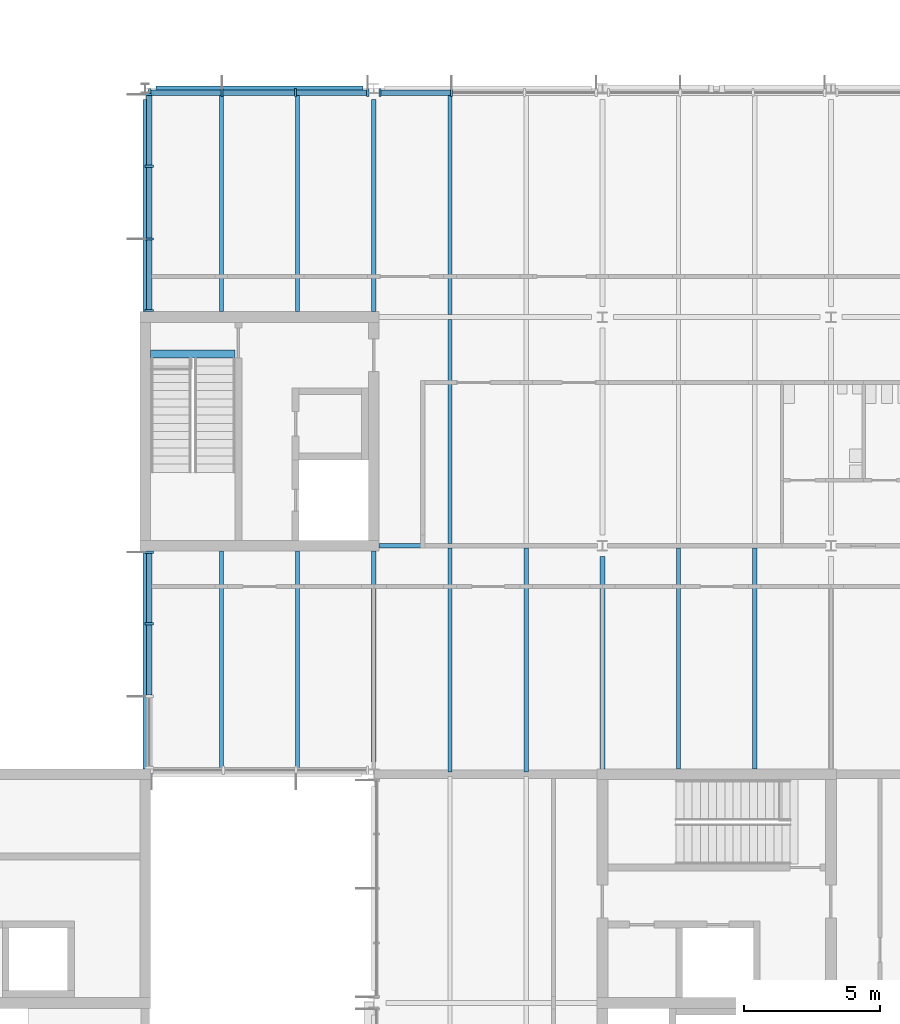
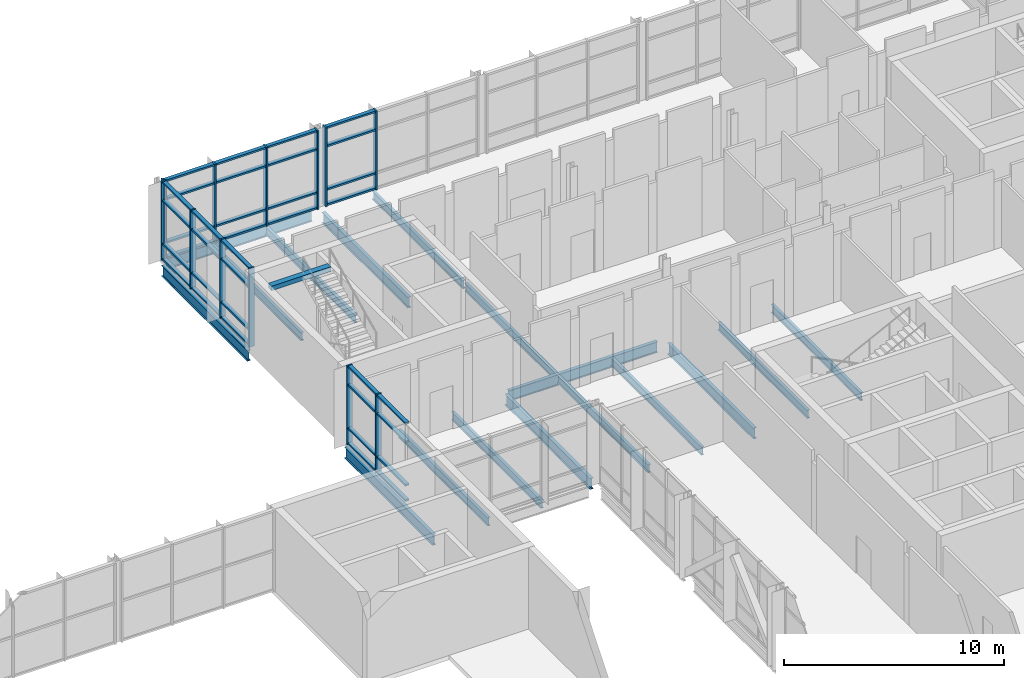
# One storey, part 33 of 89: 48 members, 18 beams, 4 elements without a shape of their own.
"""IFC4 building model written with IfcOpenShell, lengths in metres."""

from ifc_helpers import new_model, si_unit, direction, frame, origin, origin_2d, place, context, subcontext, project, spatial, rectangle, i_section, extrude, material, material_profile, profile_set, type_object, element, aggregate, save


model = new_model("IFC4")

# Units and contexts
model_context = context("Model", 3, precision=1e-05, world=origin(), true_north=direction((0.0, 1.0)))
body_context = subcontext(model_context, "Body", "Model", "MODEL_VIEW")
ifc_project = project(units=[si_unit("LENGTHUNIT", "METRE"), si_unit("AREAUNIT", "SQUARE_METRE"), si_unit("VOLUMEUNIT", "CUBIC_METRE"), si_unit("PLANEANGLEUNIT", "RADIAN"), si_unit("MASSUNIT", "GRAM", prefix="KILO")], contexts=[model_context])

# Site, building, storey
site_placement = place(None, origin())
site = spatial("IfcSite", under=ifc_project, at=site_placement, CompositionType="ELEMENT")
building_placement = place(site_placement, origin())
building = spatial("IfcBuilding", under=site, at=building_placement, Name="Hlaing Beacon Police Headquarters", CompositionType="ELEMENT")
storey_placement = place(building_placement, frame((0.0, 0.0, 9.89990234375)))
storey = spatial("IfcBuildingStorey", under=building, at=storey_placement, Name="L02", CompositionType="ELEMENT", Elevation=9.89990234375)

# Beams
ifc_material_1 = material(Name="Steel ASTM A992 Grade 50", Category="steel")
ifc_material_profile_1 = material_profile(ifc_material_1, i_section(OverallWidth=0.177978515625, OverallDepth=0.599365234375, WebThickness=0.010009765625, FlangeThickness=0.012939453125, FilletRadius=0.012939453125, at=origin_2d()), Name="W24x55")
ifc_profile_set_1 = profile_set([ifc_material_profile_1], Name="Steel ASTM A992 Grade 50")
beam_type_1 = type_object("IfcBeamType", Name="Girder W24x55", PredefinedType="BEAM", material=ifc_profile_set_1)
beam_1_placement = place(storey_placement, frame((101.0, 75.60009765625, -0.4296875), z_axis=(1.0, 0.0, 0.0), x_axis=(0.0, 1.0, 0.0)))
element("IfcBeam", 1, at=beam_1_placement, inside=storey, type_object=beam_type_1, Name="STR-BM-L02-GX-N10-P10", PredefinedType="BEAM", context=body_context, shape_type="SweptSolid", body=[
    extrude(i_section(OverallWidth=0.177978515625, OverallDepth=0.599365234375, WebThickness=0.010009765625, FlangeThickness=0.012939453125, FilletRadius=0.012939453125, at=origin_2d()), origin(), (0.0, 0.0, 1.0), 7.800048828125),
])
beam_2_placement = place(storey_placement, frame((92.800048828125, 92.39990234375, -0.4296875), z_axis=(1.0, 0.0, 0.0), x_axis=(0.0, 1.0, 0.0)))
element("IfcBeam", 2, at=beam_2_placement, inside=storey, type_object=beam_type_1, Name="STR-BM-L02-GX-M12-N12", PredefinedType="BEAM", context=body_context, shape_type="SweptSolid", body=[
    extrude(i_section(OverallWidth=0.177978515625, OverallDepth=0.599365234375, WebThickness=0.010009765625, FlangeThickness=0.012939453125, FilletRadius=0.012939453125, at=origin_2d()), origin(), (0.0, 0.0, 1.0), 7.599853515625),
])
beam_3_placement = place(storey_placement, frame((92.39990234375, 67.39990234375, -0.4296875), z_axis=(0.0, 1.0, 0.0), x_axis=(-1.0, 0.0, 0.0)))
element("IfcBeam", 3, at=beam_3_placement, inside=storey, type_object=beam_type_1, Name="STR-BM-L02-GY-M9-M10", PredefinedType="BEAM", context=body_context, shape_type="SweptSolid", body=[
    extrude(i_section(OverallWidth=0.177978515625, OverallDepth=0.599365234375, WebThickness=0.010009765625, FlangeThickness=0.012939453125, FilletRadius=0.012939453125, at=origin_2d()), origin(), (0.0, 0.0, 1.0), 8.0),
])
beam_4_placement = place(storey_placement, frame((92.39990234375, 84.199951171875, -0.4296875), z_axis=(0.0, 1.0, 0.0), x_axis=(-1.0, 0.0, 0.0)))
element("IfcBeam", 4, at=beam_4_placement, inside=storey, type_object=beam_type_1, Name="STR-BM-L02-GY-M11-M12", PredefinedType="BEAM", context=body_context, shape_type="SweptSolid", body=[
    extrude(i_section(OverallWidth=0.177978515625, OverallDepth=0.599365234375, WebThickness=0.010009765625, FlangeThickness=0.012939453125, FilletRadius=0.012939453125, at=origin_2d()), origin(), (0.0, 0.0, 1.0), 7.800048828125),
])
beam_5_placement = place(storey_placement, frame((100.800048828125, 67.64990234375, -0.4296875), z_axis=(0.0, 1.0, 0.0), x_axis=(-1.0, 0.0, 0.0)))
element("IfcBeam", 5, at=beam_5_placement, inside=storey, type_object=beam_type_1, Name="STR-BM-L02-GY-N9-N10", PredefinedType="BEAM", context=body_context, shape_type="SweptSolid", body=[
    extrude(i_section(OverallWidth=0.177978515625, OverallDepth=0.599365234375, WebThickness=0.010009765625, FlangeThickness=0.012939453125, FilletRadius=0.012939453125, at=origin_2d()), origin(), (0.0, 0.0, 1.0), 7.75),
])
for number, where, z_axis, x_axis, name in (
    (6, (100.800048828125, 84.199951171875, -0.4296875), (0.0, 1.0, 0.0), (-1.0, 0.0, 0.0), "STR-BM-L02-GY-N11-N12"),
    (7, (109.199951171875, 67.39990234375, -0.4296875), (0.0, 1.0, 0.0), (-1.0, 0.0, 0.0), "STR-BM-L02-GY-P9-P10"),
):
    element("IfcBeam", number, at=place(storey_placement, frame(where, z_axis=z_axis, x_axis=x_axis)), inside=storey, type_object=beam_type_1, Name=name, PredefinedType="BEAM", context=body_context, shape_type="SweptSolid", body=[
        extrude(i_section(OverallWidth=0.177978515625, OverallDepth=0.599365234375, WebThickness=0.010009765625, FlangeThickness=0.012939453125, FilletRadius=0.012939453125, at=origin_2d()), origin(), (0.0, 0.0, 1.0), 7.800048828125),
    ])

# Curtain wall, members
ifc_material_2 = material(Name="Aluminium frame with solar control glazing", Category="aluminium")
curtain_wall_type_1 = type_object("IfcCurtainWallType", Name="Structural glazed gable wall 8.03 x 4.37", PredefinedType="NOTDEFINED", material=ifc_material_2)
curtain_wall_1_placement = place(storey_placement, origin())
curtain_wall_1 = element("IfcCurtainWall", 8, at=curtain_wall_1_placement, inside=storey, type_object=curtain_wall_type_1, Name="ENV-CW-L02-N025", PredefinedType="NOTDEFINED")
ifc_material_3 = material(Name="Aluminium", Category="aluminium")
ifc_material_profile_2 = material_profile(ifc_material_3, rectangle(XDim=0.300048828125, YDim=0.080078125, at=origin_2d()), Name="Mullion 80x300")
ifc_profile_set_2 = profile_set([ifc_material_profile_2], Name="Aluminium")
member_type_1 = type_object("IfcMemberType", Name="Mullion 80x300", PredefinedType="MULLION", material=ifc_profile_set_2)
member_1_placement = place(storey_placement, frame((103.660888671875, 92.25, 0.0), z_axis=(0.0, 0.0, 1.0), x_axis=(0.0, -1.0, 0.0)))
member_1 = element("IfcMember", 9, at=member_1_placement, type_object=member_type_1, Name="CW-L02-N025 mullion 3", PredefinedType="MULLION", context=body_context, shape_type="SweptSolid", body=[
    extrude(rectangle(XDim=0.300048828125, YDim=0.080078125, at=origin_2d()), origin(), (0.0, 0.0, 1.0), 4.3701171875),
])
member_2_placement = place(storey_placement, frame((101.024169921875, 92.25, 0.0), z_axis=(0.0, 0.0, 1.0), x_axis=(0.0, -1.0, 0.0)))
member_2 = element("IfcMember", 10, at=member_2_placement, type_object=member_type_1, Name="CW-L02-N025 mullion 4", PredefinedType="MULLION", context=body_context, shape_type="SweptSolid", body=[
    extrude(rectangle(XDim=0.300048828125, YDim=0.080078125, at=origin_2d()), origin(), (0.0, 0.0, 1.0), 4.3701171875),
])

ifc_material_4 = material(Name="Aluminium frame with solar control glazing", Category="aluminium")
curtain_wall_type_2 = type_object("IfcCurtainWallType", Name="Structural glazed gable wall 8.09 x 4.37", PredefinedType="NOTDEFINED", material=ifc_material_4)
curtain_wall_2_placement = place(storey_placement, origin())
curtain_wall_2 = element("IfcCurtainWall", 11, at=curtain_wall_2_placement, inside=storey, type_object=curtain_wall_type_2, Name="ENV-CW-L02-N026", PredefinedType="NOTDEFINED")
member_3_placement = place(storey_placement, frame((100.57568359375, 92.25, 0.0), z_axis=(0.0, 0.0, 1.0), x_axis=(0.0, -1.0, 0.0)))
member_3 = element("IfcMember", 12, at=member_3_placement, type_object=member_type_1, Name="CW-L02-N026 mullion 1", PredefinedType="MULLION", context=body_context, shape_type="SweptSolid", body=[
    extrude(rectangle(XDim=0.300048828125, YDim=0.080078125, at=origin_2d()), origin(), (0.0, 0.0, 1.0), 4.3701171875),
])
member_4_placement = place(storey_placement, frame((97.91943359375, 92.25, 0.0), z_axis=(0.0, 0.0, 1.0), x_axis=(0.0, -1.0, 0.0)))
member_4 = element("IfcMember", 13, at=member_4_placement, type_object=member_type_1, Name="CW-L02-N026 mullion 2", PredefinedType="MULLION", context=body_context, shape_type="SweptSolid", body=[
    extrude(rectangle(XDim=0.300048828125, YDim=0.080078125, at=origin_2d()), origin(), (0.0, 0.0, 1.0), 4.3701171875),
])
member_5_placement = place(storey_placement, frame((95.223388671875, 92.25, 0.0), z_axis=(0.0, 0.0, 1.0), x_axis=(0.0, -1.0, 0.0)))
member_5 = element("IfcMember", 14, at=member_5_placement, type_object=member_type_1, Name="CW-L02-N026 mullion 3", PredefinedType="MULLION", context=body_context, shape_type="SweptSolid", body=[
    extrude(rectangle(XDim=0.300048828125, YDim=0.080078125, at=origin_2d()), origin(), (0.0, 0.0, 1.0), 4.3701171875),
])
member_6_placement = place(storey_placement, frame((92.56689453125, 92.25, 0.0), z_axis=(0.0, 0.0, 1.0), x_axis=(0.0, -1.0, 0.0)))
member_6 = element("IfcMember", 15, at=member_6_placement, type_object=member_type_1, Name="CW-L02-N026 mullion 4", PredefinedType="MULLION", context=body_context, shape_type="SweptSolid", body=[
    extrude(rectangle(XDim=0.300048828125, YDim=0.080078125, at=origin_2d()), origin(), (0.0, 0.0, 1.0), 4.3701171875),
])

ifc_material_5 = material(Name="Aluminium frame with solar control glazing", Category="aluminium")
curtain_wall_type_3 = type_object("IfcCurtainWallType", Name="Structural glazed gable wall 8.02 x 4.37", PredefinedType="NOTDEFINED", material=ifc_material_5)
curtain_wall_3_placement = place(storey_placement, origin())
curtain_wall_3 = element("IfcCurtainWall", 16, at=curtain_wall_3_placement, inside=storey, type_object=curtain_wall_type_3, Name="ENV-CW-L02-W027", PredefinedType="NOTDEFINED")
member_7_placement = place(storey_placement, frame((92.550048828125, 92.18212890625, 0.0), z_axis=(0.0, 0.0, 1.0), x_axis=(1.0, 0.0, 0.0)))
member_7 = element("IfcMember", 17, at=member_7_placement, type_object=member_type_1, Name="CW-L02-W027 mullion 1", PredefinedType="MULLION", context=body_context, shape_type="SweptSolid", body=[
    extrude(rectangle(XDim=0.300048828125, YDim=0.080078125, at=origin_2d()), origin(), (0.0, 0.0, 1.0), 4.3701171875),
])
member_8_placement = place(storey_placement, frame((92.550048828125, 89.548095703125, 0.0), z_axis=(0.0, 0.0, 1.0), x_axis=(1.0, 0.0, 0.0)))
member_8 = element("IfcMember", 18, at=member_8_placement, type_object=member_type_1, Name="CW-L02-W027 mullion 2", PredefinedType="MULLION", context=body_context, shape_type="SweptSolid", body=[
    extrude(rectangle(XDim=0.300048828125, YDim=0.080078125, at=origin_2d()), origin(), (0.0, 0.0, 1.0), 4.3701171875),
])
member_9_placement = place(storey_placement, frame((92.550048828125, 86.8740234375, 0.0), z_axis=(0.0, 0.0, 1.0), x_axis=(1.0, 0.0, 0.0)))
member_9 = element("IfcMember", 19, at=member_9_placement, type_object=member_type_1, Name="CW-L02-W027 mullion 3", PredefinedType="MULLION", context=body_context, shape_type="SweptSolid", body=[
    extrude(rectangle(XDim=0.300048828125, YDim=0.080078125, at=origin_2d()), origin(), (0.0, 0.0, 1.0), 4.3701171875),
])
member_10_placement = place(storey_placement, frame((92.550048828125, 84.239990234375, 0.0), z_axis=(0.0, 0.0, 1.0), x_axis=(1.0, 0.0, 0.0)))
member_10 = element("IfcMember", 20, at=member_10_placement, type_object=member_type_1, Name="CW-L02-W027 mullion 4", PredefinedType="MULLION", context=body_context, shape_type="SweptSolid", body=[
    extrude(rectangle(XDim=0.300048828125, YDim=0.080078125, at=origin_2d()), origin(), (0.0, 0.0, 1.0), 4.3701171875),
])

ifc_material_6 = material(Name="Aluminium frame with solar control glazing", Category="aluminium")
curtain_wall_type_4 = type_object("IfcCurtainWallType", Name="Structural glazed gable wall 8.00 x 4.37", PredefinedType="NOTDEFINED", material=ifc_material_6)
curtain_wall_4_placement = place(storey_placement, origin())
curtain_wall_4 = element("IfcCurtainWall", 21, at=curtain_wall_4_placement, inside=storey, type_object=curtain_wall_type_4, Name="ENV-CW-L02-W028", PredefinedType="NOTDEFINED")
member_11_placement = place(storey_placement, frame((92.550048828125, 75.360107421875, 0.0), z_axis=(0.0, 0.0, 1.0), x_axis=(1.0, 0.0, 0.0)))
member_11 = element("IfcMember", 22, at=member_11_placement, type_object=member_type_1, Name="CW-L02-W028 mullion 1", PredefinedType="MULLION", context=body_context, shape_type="SweptSolid", body=[
    extrude(rectangle(XDim=0.300048828125, YDim=0.080078125, at=origin_2d()), origin(), (0.0, 0.0, 1.0), 4.3701171875),
])
member_12_placement = place(storey_placement, frame((92.550048828125, 72.7333984375, 0.0), z_axis=(0.0, 0.0, 1.0), x_axis=(1.0, 0.0, 0.0)))
member_12 = element("IfcMember", 23, at=member_12_placement, type_object=member_type_1, Name="CW-L02-W028 mullion 2", PredefinedType="MULLION", context=body_context, shape_type="SweptSolid", body=[
    extrude(rectangle(XDim=0.300048828125, YDim=0.080078125, at=origin_2d()), origin(), (0.0, 0.0, 1.0), 4.3701171875),
])

# Beams
ifc_material_7 = material(Name="Steel ASTM A992 Grade 50", Category="steel")
ifc_material_profile_3 = material_profile(ifc_material_7, i_section(OverallWidth=0.15234375, OverallDepth=0.449462890625, WebThickness=0.007568359375, FlangeThickness=0.0107421875, FilletRadius=0.01025390625, at=origin_2d()), Name="W18x35")
ifc_profile_set_3 = profile_set([ifc_material_profile_3], Name="Steel ASTM A992 Grade 50")
beam_type_2 = type_object("IfcBeamType", Name="Secondary beam W18x35", PredefinedType="BEAM", material=ifc_profile_set_3)
for number, where, z_axis, x_axis, name in (
    (24, (95.199951171875, 67.2890625, -0.354736328125), (0.0, 1.0, 0.0), (-1.0, 0.0, 0.0), "STR-BM-L02-SB-M9-y1"),
    (25, (98.0, 67.2890625, -0.354736328125), (0.0, 1.0, 0.0), (-1.0, 0.0, 0.0), "STR-BM-L02-SB-M9-y2"),
):
    element("IfcBeam", number, at=place(storey_placement, frame(where, z_axis=z_axis, x_axis=x_axis)), inside=storey, type_object=beam_type_2, Name=name, PredefinedType="BEAM", context=body_context, shape_type="SweptSolid", body=[
        extrude(i_section(OverallWidth=0.15234375, OverallDepth=0.449462890625, WebThickness=0.007568359375, FlangeThickness=0.0107421875, FilletRadius=0.01025390625, at=origin_2d()), origin(), (0.0, 0.0, 1.0), 8.11083984375),
    ])
for number, where, z_axis, x_axis, name in (
    (26, (95.199951171875, 84.199951171875, -0.354736328125), (0.0, 1.0, 0.0), (-1.0, 0.0, 0.0), "STR-BM-L02-SB-M11-y1"),
    (27, (98.0, 84.199951171875, -0.354736328125), (0.0, 1.0, 0.0), (-1.0, 0.0, 0.0), "STR-BM-L02-SB-M11-y2"),
):
    element("IfcBeam", number, at=place(storey_placement, frame(where, z_axis=z_axis, x_axis=x_axis)), inside=storey, type_object=beam_type_2, Name=name, PredefinedType="BEAM", context=body_context, shape_type="SweptSolid", body=[
        extrude(i_section(OverallWidth=0.15234375, OverallDepth=0.449462890625, WebThickness=0.007568359375, FlangeThickness=0.0107421875, FilletRadius=0.01025390625, at=origin_2d()), origin(), (0.0, 0.0, 1.0), 8.111083984375),
    ])
for number, where, z_axis, x_axis, name in (
    (28, (103.60009765625, 67.2890625, -0.354736328125), (0.0, 1.0, 0.0), (-1.0, 0.0, 0.0), "STR-BM-L02-SB-N9-y1"),
    (29, (106.39990234375, 67.2890625, -0.354736328125), (0.0, 1.0, 0.0), (-1.0, 0.0, 0.0), "STR-BM-L02-SB-N9-y2"),
    (30, (103.60009765625, 75.68896484375, -0.354736328125), (0.0, 1.0, 0.0), (-1.0, 0.0, 0.0), "STR-BM-L02-SB-N10-y1"),
    (31, (103.60009765625, 84.089111328125, -0.354736328125), (0.0, 1.0, 0.0), (-1.0, 0.0, 0.0), "STR-BM-L02-SB-N11-y1"),
):
    element("IfcBeam", number, at=place(storey_placement, frame(where, z_axis=z_axis, x_axis=x_axis)), inside=storey, type_object=beam_type_2, Name=name, PredefinedType="BEAM", context=body_context, shape_type="SweptSolid", body=[
        extrude(i_section(OverallWidth=0.15234375, OverallDepth=0.449462890625, WebThickness=0.007568359375, FlangeThickness=0.0107421875, FilletRadius=0.01025390625, at=origin_2d()), origin(), (0.0, 0.0, 1.0), 8.221923828125),
    ])
for number, where, z_axis, x_axis, name in (
    (32, (112.0, 67.39990234375, -0.354736328125), (0.0, 1.0, 0.0), (-1.0, 0.0, 0.0), "STR-BM-L02-SB-P9-y1"),
    (33, (114.800048828125, 67.39990234375, -0.354736328125), (0.0, 1.0, 0.0), (-1.0, 0.0, 0.0), "STR-BM-L02-SB-P9-y2"),
):
    element("IfcBeam", number, at=place(storey_placement, frame(where, z_axis=z_axis, x_axis=x_axis)), inside=storey, type_object=beam_type_2, Name=name, PredefinedType="BEAM", context=body_context, shape_type="SweptSolid", body=[
        extrude(i_section(OverallWidth=0.15234375, OverallDepth=0.449462890625, WebThickness=0.007568359375, FlangeThickness=0.0107421875, FilletRadius=0.01025390625, at=origin_2d()), origin(), (0.0, 0.0, 1.0), 8.111083984375),
    ])
ifc_material_8 = material(Name="Concrete C40/50", Category="concrete")
ifc_material_profile_4 = material_profile(ifc_material_8, rectangle(XDim=0.300048828125, YDim=0.25, at=origin_2d()), Name="Stair arrival beam 300x250")
ifc_profile_set_4 = profile_set([ifc_material_profile_4], Name="Concrete C40/50")
beam_type_3 = type_object("IfcBeamType", Name="Stair arrival beam 300x250", PredefinedType="BEAM", material=ifc_profile_set_4)
beam_6_placement = place(storey_placement, frame((92.60009765625, 82.639892578125, 4.2451171875), z_axis=(1.0, 0.0, 0.0), x_axis=(0.0, 1.0, 0.0)))
element("IfcBeam", 34, at=beam_6_placement, inside=storey, type_object=beam_type_3, Name="Stair arrival beam ST-Q", PredefinedType="BEAM", context=body_context, shape_type="SweptSolid", body=[
    extrude(rectangle(XDim=0.300048828125, YDim=0.25, at=origin_2d()), origin(), (0.0, 0.0, 1.0), 3.099853515625),
])

# Member
ifc_material_9 = material(Name="Aluminium", Category="aluminium")
ifc_material_profile_5 = material_profile(ifc_material_9, rectangle(XDim=0.199951171875, YDim=0.10009765625, at=origin_2d()), Name="Transom 200x100")
ifc_profile_set_5 = profile_set([ifc_material_profile_5], Name="Aluminium")
member_type_2 = type_object("IfcMemberType", Name="Transom 200x100", PredefinedType="USERDEFINED", material=ifc_profile_set_5)
member_13_placement = place(storey_placement, frame((103.620849609375, 92.25, 0.050048828125), z_axis=(-1.0, 0.0, 0.0), x_axis=(0.0, -1.0, 0.0)))
member_13 = element("IfcMember", 35, at=member_13_placement, type_object=member_type_2, Name="CW-L02-N025 transom 3.1", ObjectType="TRANSOM", PredefinedType="USERDEFINED", context=body_context, shape_type="SweptSolid", body=[
    extrude(rectangle(XDim=0.199951171875, YDim=0.10009765625, at=origin_2d()), origin(), (0.0, 0.0, 1.0), 2.556640625),
])

member_14_placement = place(storey_placement, frame((103.620849609375, 92.25, 0.900146484375), z_axis=(-1.0, 0.0, 0.0), x_axis=(0.0, -1.0, 0.0)))
member_14 = element("IfcMember", 36, at=member_14_placement, type_object=member_type_2, Name="CW-L02-N025 transom 3.2", ObjectType="TRANSOM", PredefinedType="USERDEFINED", context=body_context, shape_type="SweptSolid", body=[
    extrude(rectangle(XDim=0.199951171875, YDim=0.10009765625, at=origin_2d()), origin(), (0.0, 0.0, 1.0), 2.556640625),
])

member_15_placement = place(storey_placement, frame((103.620849609375, 92.25, 3.300048828125), z_axis=(-1.0, 0.0, 0.0), x_axis=(0.0, -1.0, 0.0)))
member_15 = element("IfcMember", 37, at=member_15_placement, type_object=member_type_2, Name="CW-L02-N025 transom 3.3", ObjectType="TRANSOM", PredefinedType="USERDEFINED", context=body_context, shape_type="SweptSolid", body=[
    extrude(rectangle(XDim=0.199951171875, YDim=0.10009765625, at=origin_2d()), origin(), (0.0, 0.0, 1.0), 2.556640625),
])

member_16_placement = place(storey_placement, frame((103.620849609375, 92.25, 4.320068359375), z_axis=(-1.0, 0.0, 0.0), x_axis=(0.0, -1.0, 0.0)))
member_16 = element("IfcMember", 38, at=member_16_placement, type_object=member_type_2, Name="CW-L02-N025 transom 3.4", ObjectType="TRANSOM", PredefinedType="USERDEFINED", context=body_context, shape_type="SweptSolid", body=[
    extrude(rectangle(XDim=0.199951171875, YDim=0.10009765625, at=origin_2d()), origin(), (0.0, 0.0, 1.0), 2.556640625),
])

aggregate(curtain_wall_1, [member_1, member_2, member_13, member_14, member_15, member_16])

member_17_placement = place(storey_placement, frame((100.535888671875, 92.25, 0.050048828125), z_axis=(-1.0, 0.0, 0.0), x_axis=(0.0, -1.0, 0.0)))
member_17 = element("IfcMember", 39, at=member_17_placement, type_object=member_type_2, Name="CW-L02-N026 transom 1.1", ObjectType="TRANSOM", PredefinedType="USERDEFINED", context=body_context, shape_type="SweptSolid", body=[
    extrude(rectangle(XDim=0.199951171875, YDim=0.10009765625, at=origin_2d()), origin(), (0.0, 0.0, 1.0), 2.576416015625),
])

member_18_placement = place(storey_placement, frame((100.535888671875, 92.25, 0.900146484375), z_axis=(-1.0, 0.0, 0.0), x_axis=(0.0, -1.0, 0.0)))
member_18 = element("IfcMember", 40, at=member_18_placement, type_object=member_type_2, Name="CW-L02-N026 transom 1.2", ObjectType="TRANSOM", PredefinedType="USERDEFINED", context=body_context, shape_type="SweptSolid", body=[
    extrude(rectangle(XDim=0.199951171875, YDim=0.10009765625, at=origin_2d()), origin(), (0.0, 0.0, 1.0), 2.576416015625),
])

member_19_placement = place(storey_placement, frame((100.535888671875, 92.25, 3.300048828125), z_axis=(-1.0, 0.0, 0.0), x_axis=(0.0, -1.0, 0.0)))
member_19 = element("IfcMember", 41, at=member_19_placement, type_object=member_type_2, Name="CW-L02-N026 transom 1.3", ObjectType="TRANSOM", PredefinedType="USERDEFINED", context=body_context, shape_type="SweptSolid", body=[
    extrude(rectangle(XDim=0.199951171875, YDim=0.10009765625, at=origin_2d()), origin(), (0.0, 0.0, 1.0), 2.576416015625),
])

member_20_placement = place(storey_placement, frame((100.535888671875, 92.25, 4.320068359375), z_axis=(-1.0, 0.0, 0.0), x_axis=(0.0, -1.0, 0.0)))
member_20 = element("IfcMember", 42, at=member_20_placement, type_object=member_type_2, Name="CW-L02-N026 transom 1.4", ObjectType="TRANSOM", PredefinedType="USERDEFINED", context=body_context, shape_type="SweptSolid", body=[
    extrude(rectangle(XDim=0.199951171875, YDim=0.10009765625, at=origin_2d()), origin(), (0.0, 0.0, 1.0), 2.576416015625),
])

member_21_placement = place(storey_placement, frame((97.879638671875, 92.25, 0.050048828125), z_axis=(-1.0, 0.0, 0.0), x_axis=(0.0, -1.0, 0.0)))
member_21 = element("IfcMember", 43, at=member_21_placement, type_object=member_type_2, Name="CW-L02-N026 transom 2.1", ObjectType="TRANSOM", PredefinedType="USERDEFINED", context=body_context, shape_type="SweptSolid", body=[
    extrude(rectangle(XDim=0.199951171875, YDim=0.10009765625, at=origin_2d()), origin(), (0.0, 0.0, 1.0), 2.616455078125),
])

member_22_placement = place(storey_placement, frame((97.879638671875, 92.25, 0.900146484375), z_axis=(-1.0, 0.0, 0.0), x_axis=(0.0, -1.0, 0.0)))
member_22 = element("IfcMember", 44, at=member_22_placement, type_object=member_type_2, Name="CW-L02-N026 transom 2.2", ObjectType="TRANSOM", PredefinedType="USERDEFINED", context=body_context, shape_type="SweptSolid", body=[
    extrude(rectangle(XDim=0.199951171875, YDim=0.10009765625, at=origin_2d()), origin(), (0.0, 0.0, 1.0), 2.616455078125),
])

member_23_placement = place(storey_placement, frame((97.879638671875, 92.25, 3.300048828125), z_axis=(-1.0, 0.0, 0.0), x_axis=(0.0, -1.0, 0.0)))
member_23 = element("IfcMember", 45, at=member_23_placement, type_object=member_type_2, Name="CW-L02-N026 transom 2.3", ObjectType="TRANSOM", PredefinedType="USERDEFINED", context=body_context, shape_type="SweptSolid", body=[
    extrude(rectangle(XDim=0.199951171875, YDim=0.10009765625, at=origin_2d()), origin(), (0.0, 0.0, 1.0), 2.616455078125),
])

member_24_placement = place(storey_placement, frame((97.879638671875, 92.25, 4.320068359375), z_axis=(-1.0, 0.0, 0.0), x_axis=(0.0, -1.0, 0.0)))
member_24 = element("IfcMember", 46, at=member_24_placement, type_object=member_type_2, Name="CW-L02-N026 transom 2.4", ObjectType="TRANSOM", PredefinedType="USERDEFINED", context=body_context, shape_type="SweptSolid", body=[
    extrude(rectangle(XDim=0.199951171875, YDim=0.10009765625, at=origin_2d()), origin(), (0.0, 0.0, 1.0), 2.616455078125),
])

member_25_placement = place(storey_placement, frame((95.183349609375, 92.25, 0.050048828125), z_axis=(-1.0, 0.0, 0.0), x_axis=(0.0, -1.0, 0.0)))
member_25 = element("IfcMember", 47, at=member_25_placement, type_object=member_type_2, Name="CW-L02-N026 transom 3.1", ObjectType="TRANSOM", PredefinedType="USERDEFINED", context=body_context, shape_type="SweptSolid", body=[
    extrude(rectangle(XDim=0.199951171875, YDim=0.10009765625, at=origin_2d()), origin(), (0.0, 0.0, 1.0), 2.576416015625),
])

member_26_placement = place(storey_placement, frame((95.183349609375, 92.25, 0.900146484375), z_axis=(-1.0, 0.0, 0.0), x_axis=(0.0, -1.0, 0.0)))
member_26 = element("IfcMember", 48, at=member_26_placement, type_object=member_type_2, Name="CW-L02-N026 transom 3.2", ObjectType="TRANSOM", PredefinedType="USERDEFINED", context=body_context, shape_type="SweptSolid", body=[
    extrude(rectangle(XDim=0.199951171875, YDim=0.10009765625, at=origin_2d()), origin(), (0.0, 0.0, 1.0), 2.576416015625),
])

member_27_placement = place(storey_placement, frame((95.183349609375, 92.25, 3.300048828125), z_axis=(-1.0, 0.0, 0.0), x_axis=(0.0, -1.0, 0.0)))
member_27 = element("IfcMember", 49, at=member_27_placement, type_object=member_type_2, Name="CW-L02-N026 transom 3.3", ObjectType="TRANSOM", PredefinedType="USERDEFINED", context=body_context, shape_type="SweptSolid", body=[
    extrude(rectangle(XDim=0.199951171875, YDim=0.10009765625, at=origin_2d()), origin(), (0.0, 0.0, 1.0), 2.576416015625),
])

member_28_placement = place(storey_placement, frame((95.183349609375, 92.25, 4.320068359375), z_axis=(-1.0, 0.0, 0.0), x_axis=(0.0, -1.0, 0.0)))
member_28 = element("IfcMember", 50, at=member_28_placement, type_object=member_type_2, Name="CW-L02-N026 transom 3.4", ObjectType="TRANSOM", PredefinedType="USERDEFINED", context=body_context, shape_type="SweptSolid", body=[
    extrude(rectangle(XDim=0.199951171875, YDim=0.10009765625, at=origin_2d()), origin(), (0.0, 0.0, 1.0), 2.576416015625),
])

aggregate(curtain_wall_2, [member_3, member_4, member_5, member_6, member_17, member_18, member_19, member_20, member_21, member_22, member_23, member_24, member_25, member_26, member_27, member_28])

member_29_placement = place(storey_placement, frame((92.550048828125, 92.14208984375, 0.050048828125), z_axis=(0.0, -1.0, 0.0), x_axis=(1.0, 0.0, 0.0)))
member_29 = element("IfcMember", 51, at=member_29_placement, type_object=member_type_2, Name="CW-L02-W027 transom 1.1", ObjectType="TRANSOM", PredefinedType="USERDEFINED", context=body_context, shape_type="SweptSolid", body=[
    extrude(rectangle(XDim=0.199951171875, YDim=0.10009765625, at=origin_2d()), origin(), (0.0, 0.0, 1.0), 2.553955078125),
])

member_30_placement = place(storey_placement, frame((92.550048828125, 92.14208984375, 0.900146484375), z_axis=(0.0, -1.0, 0.0), x_axis=(1.0, 0.0, 0.0)))
member_30 = element("IfcMember", 52, at=member_30_placement, type_object=member_type_2, Name="CW-L02-W027 transom 1.2", ObjectType="TRANSOM", PredefinedType="USERDEFINED", context=body_context, shape_type="SweptSolid", body=[
    extrude(rectangle(XDim=0.199951171875, YDim=0.10009765625, at=origin_2d()), origin(), (0.0, 0.0, 1.0), 2.553955078125),
])

member_31_placement = place(storey_placement, frame((92.550048828125, 92.14208984375, 3.300048828125), z_axis=(0.0, -1.0, 0.0), x_axis=(1.0, 0.0, 0.0)))
member_31 = element("IfcMember", 53, at=member_31_placement, type_object=member_type_2, Name="CW-L02-W027 transom 1.3", ObjectType="TRANSOM", PredefinedType="USERDEFINED", context=body_context, shape_type="SweptSolid", body=[
    extrude(rectangle(XDim=0.199951171875, YDim=0.10009765625, at=origin_2d()), origin(), (0.0, 0.0, 1.0), 2.553955078125),
])

member_32_placement = place(storey_placement, frame((92.550048828125, 92.14208984375, 4.320068359375), z_axis=(0.0, -1.0, 0.0), x_axis=(1.0, 0.0, 0.0)))
member_32 = element("IfcMember", 54, at=member_32_placement, type_object=member_type_2, Name="CW-L02-W027 transom 1.4", ObjectType="TRANSOM", PredefinedType="USERDEFINED", context=body_context, shape_type="SweptSolid", body=[
    extrude(rectangle(XDim=0.199951171875, YDim=0.10009765625, at=origin_2d()), origin(), (0.0, 0.0, 1.0), 2.553955078125),
])

member_33_placement = place(storey_placement, frame((92.550048828125, 89.508056640625, 0.050048828125), z_axis=(0.0, -1.0, 0.0), x_axis=(1.0, 0.0, 0.0)))
member_33 = element("IfcMember", 55, at=member_33_placement, type_object=member_type_2, Name="CW-L02-W027 transom 2.1", ObjectType="TRANSOM", PredefinedType="USERDEFINED", context=body_context, shape_type="SweptSolid", body=[
    extrude(rectangle(XDim=0.199951171875, YDim=0.10009765625, at=origin_2d()), origin(), (0.0, 0.0, 1.0), 2.593994140625),
])

member_34_placement = place(storey_placement, frame((92.550048828125, 89.508056640625, 0.900146484375), z_axis=(0.0, -1.0, 0.0), x_axis=(1.0, 0.0, 0.0)))
member_34 = element("IfcMember", 56, at=member_34_placement, type_object=member_type_2, Name="CW-L02-W027 transom 2.2", ObjectType="TRANSOM", PredefinedType="USERDEFINED", context=body_context, shape_type="SweptSolid", body=[
    extrude(rectangle(XDim=0.199951171875, YDim=0.10009765625, at=origin_2d()), origin(), (0.0, 0.0, 1.0), 2.593994140625),
])

member_35_placement = place(storey_placement, frame((92.550048828125, 89.508056640625, 3.300048828125), z_axis=(0.0, -1.0, 0.0), x_axis=(1.0, 0.0, 0.0)))
member_35 = element("IfcMember", 57, at=member_35_placement, type_object=member_type_2, Name="CW-L02-W027 transom 2.3", ObjectType="TRANSOM", PredefinedType="USERDEFINED", context=body_context, shape_type="SweptSolid", body=[
    extrude(rectangle(XDim=0.199951171875, YDim=0.10009765625, at=origin_2d()), origin(), (0.0, 0.0, 1.0), 2.593994140625),
])

member_36_placement = place(storey_placement, frame((92.550048828125, 89.508056640625, 4.320068359375), z_axis=(0.0, -1.0, 0.0), x_axis=(1.0, 0.0, 0.0)))
member_36 = element("IfcMember", 58, at=member_36_placement, type_object=member_type_2, Name="CW-L02-W027 transom 2.4", ObjectType="TRANSOM", PredefinedType="USERDEFINED", context=body_context, shape_type="SweptSolid", body=[
    extrude(rectangle(XDim=0.199951171875, YDim=0.10009765625, at=origin_2d()), origin(), (0.0, 0.0, 1.0), 2.593994140625),
])

member_37_placement = place(storey_placement, frame((92.550048828125, 86.833984375, 0.050048828125), z_axis=(0.0, -1.0, 0.0), x_axis=(1.0, 0.0, 0.0)))
member_37 = element("IfcMember", 59, at=member_37_placement, type_object=member_type_2, Name="CW-L02-W027 transom 3.1", ObjectType="TRANSOM", PredefinedType="USERDEFINED", context=body_context, shape_type="SweptSolid", body=[
    extrude(rectangle(XDim=0.199951171875, YDim=0.10009765625, at=origin_2d()), origin(), (0.0, 0.0, 1.0), 2.553955078125),
])

member_38_placement = place(storey_placement, frame((92.550048828125, 86.833984375, 0.900146484375), z_axis=(0.0, -1.0, 0.0), x_axis=(1.0, 0.0, 0.0)))
member_38 = element("IfcMember", 60, at=member_38_placement, type_object=member_type_2, Name="CW-L02-W027 transom 3.2", ObjectType="TRANSOM", PredefinedType="USERDEFINED", context=body_context, shape_type="SweptSolid", body=[
    extrude(rectangle(XDim=0.199951171875, YDim=0.10009765625, at=origin_2d()), origin(), (0.0, 0.0, 1.0), 2.553955078125),
])

member_39_placement = place(storey_placement, frame((92.550048828125, 86.833984375, 3.300048828125), z_axis=(0.0, -1.0, 0.0), x_axis=(1.0, 0.0, 0.0)))
member_39 = element("IfcMember", 61, at=member_39_placement, type_object=member_type_2, Name="CW-L02-W027 transom 3.3", ObjectType="TRANSOM", PredefinedType="USERDEFINED", context=body_context, shape_type="SweptSolid", body=[
    extrude(rectangle(XDim=0.199951171875, YDim=0.10009765625, at=origin_2d()), origin(), (0.0, 0.0, 1.0), 2.553955078125),
])

member_40_placement = place(storey_placement, frame((92.550048828125, 86.833984375, 4.320068359375), z_axis=(0.0, -1.0, 0.0), x_axis=(1.0, 0.0, 0.0)))
member_40 = element("IfcMember", 62, at=member_40_placement, type_object=member_type_2, Name="CW-L02-W027 transom 3.4", ObjectType="TRANSOM", PredefinedType="USERDEFINED", context=body_context, shape_type="SweptSolid", body=[
    extrude(rectangle(XDim=0.199951171875, YDim=0.10009765625, at=origin_2d()), origin(), (0.0, 0.0, 1.0), 2.553955078125),
])

aggregate(curtain_wall_3, [member_7, member_8, member_9, member_10, member_29, member_30, member_31, member_32, member_33, member_34, member_35, member_36, member_37, member_38, member_39, member_40])

member_41_placement = place(storey_placement, frame((92.550048828125, 75.320068359375, 0.050048828125), z_axis=(0.0, -1.0, 0.0), x_axis=(1.0, 0.0, 0.0)))
member_41 = element("IfcMember", 63, at=member_41_placement, type_object=member_type_2, Name="CW-L02-W028 transom 1.1", ObjectType="TRANSOM", PredefinedType="USERDEFINED", context=body_context, shape_type="SweptSolid", body=[
    extrude(rectangle(XDim=0.199951171875, YDim=0.10009765625, at=origin_2d()), origin(), (0.0, 0.0, 1.0), 2.546630859375),
])

member_42_placement = place(storey_placement, frame((92.550048828125, 75.320068359375, 0.900146484375), z_axis=(0.0, -1.0, 0.0), x_axis=(1.0, 0.0, 0.0)))
member_42 = element("IfcMember", 64, at=member_42_placement, type_object=member_type_2, Name="CW-L02-W028 transom 1.2", ObjectType="TRANSOM", PredefinedType="USERDEFINED", context=body_context, shape_type="SweptSolid", body=[
    extrude(rectangle(XDim=0.199951171875, YDim=0.10009765625, at=origin_2d()), origin(), (0.0, 0.0, 1.0), 2.546630859375),
])

member_43_placement = place(storey_placement, frame((92.550048828125, 75.320068359375, 3.300048828125), z_axis=(0.0, -1.0, 0.0), x_axis=(1.0, 0.0, 0.0)))
member_43 = element("IfcMember", 65, at=member_43_placement, type_object=member_type_2, Name="CW-L02-W028 transom 1.3", ObjectType="TRANSOM", PredefinedType="USERDEFINED", context=body_context, shape_type="SweptSolid", body=[
    extrude(rectangle(XDim=0.199951171875, YDim=0.10009765625, at=origin_2d()), origin(), (0.0, 0.0, 1.0), 2.546630859375),
])

member_44_placement = place(storey_placement, frame((92.550048828125, 75.320068359375, 4.320068359375), z_axis=(0.0, -1.0, 0.0), x_axis=(1.0, 0.0, 0.0)))
member_44 = element("IfcMember", 66, at=member_44_placement, type_object=member_type_2, Name="CW-L02-W028 transom 1.4", ObjectType="TRANSOM", PredefinedType="USERDEFINED", context=body_context, shape_type="SweptSolid", body=[
    extrude(rectangle(XDim=0.199951171875, YDim=0.10009765625, at=origin_2d()), origin(), (0.0, 0.0, 1.0), 2.546630859375),
])

member_45_placement = place(storey_placement, frame((92.550048828125, 72.693359375, 0.050048828125), z_axis=(0.0, -1.0, 0.0), x_axis=(1.0, 0.0, 0.0)))
member_45 = element("IfcMember", 67, at=member_45_placement, type_object=member_type_2, Name="CW-L02-W028 transom 2.1", ObjectType="TRANSOM", PredefinedType="USERDEFINED", context=body_context, shape_type="SweptSolid", body=[
    extrude(rectangle(XDim=0.199951171875, YDim=0.10009765625, at=origin_2d()), origin(), (0.0, 0.0, 1.0), 2.586669921875),
])

member_46_placement = place(storey_placement, frame((92.550048828125, 72.693359375, 0.900146484375), z_axis=(0.0, -1.0, 0.0), x_axis=(1.0, 0.0, 0.0)))
member_46 = element("IfcMember", 68, at=member_46_placement, type_object=member_type_2, Name="CW-L02-W028 transom 2.2", ObjectType="TRANSOM", PredefinedType="USERDEFINED", context=body_context, shape_type="SweptSolid", body=[
    extrude(rectangle(XDim=0.199951171875, YDim=0.10009765625, at=origin_2d()), origin(), (0.0, 0.0, 1.0), 2.586669921875),
])

member_47_placement = place(storey_placement, frame((92.550048828125, 72.693359375, 3.300048828125), z_axis=(0.0, -1.0, 0.0), x_axis=(1.0, 0.0, 0.0)))
member_47 = element("IfcMember", 69, at=member_47_placement, type_object=member_type_2, Name="CW-L02-W028 transom 2.3", ObjectType="TRANSOM", PredefinedType="USERDEFINED", context=body_context, shape_type="SweptSolid", body=[
    extrude(rectangle(XDim=0.199951171875, YDim=0.10009765625, at=origin_2d()), origin(), (0.0, 0.0, 1.0), 2.586669921875),
])

member_48_placement = place(storey_placement, frame((92.550048828125, 72.693359375, 4.320068359375), z_axis=(0.0, -1.0, 0.0), x_axis=(1.0, 0.0, 0.0)))
member_48 = element("IfcMember", 70, at=member_48_placement, type_object=member_type_2, Name="CW-L02-W028 transom 2.4", ObjectType="TRANSOM", PredefinedType="USERDEFINED", context=body_context, shape_type="SweptSolid", body=[
    extrude(rectangle(XDim=0.199951171875, YDim=0.10009765625, at=origin_2d()), origin(), (0.0, 0.0, 1.0), 2.586669921875),
])

aggregate(curtain_wall_4, [member_11, member_12, member_41, member_42, member_43, member_44, member_45, member_46, member_47, member_48])

save(model, "model.ifc")
